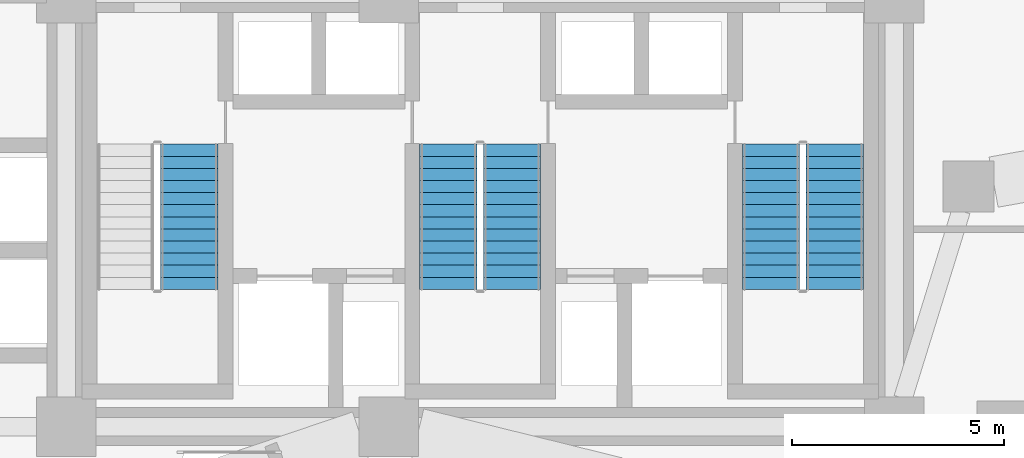
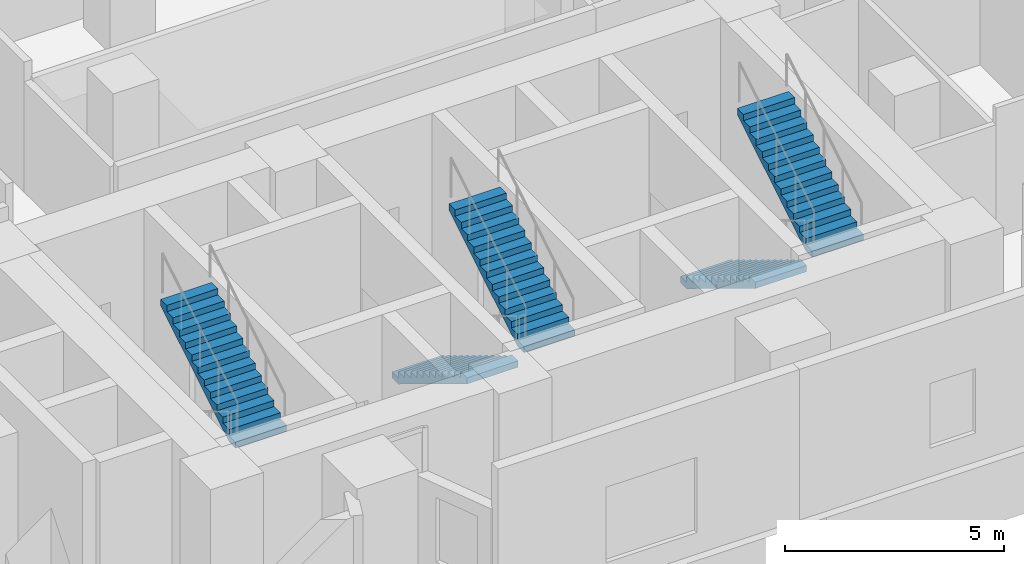
# One storey, part 11 of 15: 5 stair flights, 3 elements without a shape of their own.
"""IFC4 building model written with IfcOpenShell, lengths in metres."""

from ifc_helpers import new_model, si_unit, direction, frame, origin, place, context, subcontext, project, spatial, polyline, outline, extrude, material, type_object, element, aggregate, save


model = new_model("IFC4")

# Units and contexts
model_context = context("Model", 3, precision=1e-05, world=origin(), true_north=direction((0.0, 1.0)))
body_context = subcontext(model_context, "Body", "Model", "MODEL_VIEW")
ifc_project = project(units=[si_unit("LENGTHUNIT", "METRE"), si_unit("AREAUNIT", "SQUARE_METRE"), si_unit("VOLUMEUNIT", "CUBIC_METRE"), si_unit("PLANEANGLEUNIT", "RADIAN"), si_unit("MASSUNIT", "GRAM", prefix="KILO")], contexts=[model_context])

# Site, building, storey
site_placement = place(None, origin())
site = spatial("IfcSite", under=ifc_project, at=site_placement, CompositionType="ELEMENT")
building_placement = place(site_placement, origin())
building = spatial("IfcBuilding", under=site, at=building_placement, Name="Almagre Mirador Tower", CompositionType="ELEMENT")
storey_placement = place(building_placement, frame((0.0, 0.0, 8.39990234375)))
storey = spatial("IfcBuildingStorey", under=building, at=storey_placement, Name="L01", CompositionType="ELEMENT", Elevation=8.39990234375)

# Stair, stair flight
ifc_material_1 = material(Name="Concrete C45/55", Category="concrete")
stair_type = type_object("IfcStairType", Name="STR-DL-4500", PredefinedType="HALF_TURN_STAIR", material=ifc_material_1)
stair_1_placement = place(storey_placement, origin())
stair_1 = element("IfcStair", 1, at=stair_1_placement, inside=storey, type_object=stair_type, Name="L01 Protected exit stair ST-1", PredefinedType="HALF_TURN_STAIR")
ifc_material_2 = material(Name="Concrete C45/55", Category="concrete")
stair_flight_type = type_object("IfcStairFlightType", Name="FLT-DL-4500", PredefinedType="STRAIGHT", material=ifc_material_2)
stair_flight_1_placement = place(storey_placement, frame((30.449951171875, 7.780029296875, 2.25), z_axis=(0.0, 0.0, 1.0), x_axis=(0.0, 1.0, 0.0)))
stair_flight_1 = element("IfcStairFlight", 2, at=stair_flight_1_placement, type_object=stair_flight_type, Name="ST-1 flight 2", NumberOfRisers=13, NumberOfTreads=12, PredefinedType="STRAIGHT", RiserHeight=0.173076923, TreadLength=0.285, context=body_context, shape_type="SweptSolid", body=[
    extrude(outline(polyline([(0.0, 0.0), (0.0, 0.173095703125), (0.284912109375, 0.173095703125), (0.284912109375, 0.34619140625), (0.570068359375, 0.34619140625), (0.570068359375, 0.519287109375), (0.85498046875, 0.519287109375), (0.85498046875, 0.6923828125), (1.139892578125, 0.6923828125), (1.139892578125, 0.865478515625), (1.425048828125, 0.865478515625), (1.425048828125, 1.03857421875), (1.7099609375, 1.03857421875), (1.7099609375, 1.21142578125), (1.9951171875, 1.21142578125), (1.9951171875, 1.384521484375), (2.280029296875, 1.384521484375), (2.280029296875, 1.5576171875), (2.56494140625, 1.5576171875), (2.56494140625, 1.730712890625), (2.85009765625, 1.730712890625), (2.85009765625, 1.90380859375), (3.135009765625, 1.90380859375), (3.135009765625, 2.076904296875), (3.419921875, 2.076904296875), (3.419921875, 2.25), (3.419921875, 1.901611328125), (0.288818359375, 0.0), (0.0, 0.0)])), frame((0.0, 0.675048828125, 0.0), z_axis=(0.0, -1.0, 0.0), x_axis=(1.0, 0.0, 0.0)), (0.0, 0.0, 1.0), 1.35009765625),
])
aggregate(stair_1, [stair_flight_1])

# Stair, stair flights
stair_2_placement = place(storey_placement, origin())
stair_2 = element("IfcStair", 3, at=stair_2_placement, inside=storey, type_object=stair_type, Name="L01 Protected exit stair ST-2", PredefinedType="HALF_TURN_STAIR")
stair_flight_2_placement = place(storey_placement, frame((36.550048828125, 11.199951171875, 0.0), z_axis=(0.0, 0.0, 1.0), x_axis=(0.0, -1.0, 0.0)))
stair_flight_2 = element("IfcStairFlight", 4, at=stair_flight_2_placement, type_object=stair_flight_type, Name="ST-2 flight 1", NumberOfRisers=13, NumberOfTreads=12, PredefinedType="STRAIGHT", RiserHeight=0.173076923, TreadLength=0.285, context=body_context, shape_type="SweptSolid", body=[
    extrude(outline(polyline([(0.0, 0.0), (0.0, 0.173095703125), (0.284912109375, 0.173095703125), (0.284912109375, 0.34619140625), (0.570068359375, 0.34619140625), (0.570068359375, 0.519287109375), (0.85498046875, 0.519287109375), (0.85498046875, 0.6923828125), (1.139892578125, 0.6923828125), (1.139892578125, 0.865478515625), (1.425048828125, 0.865478515625), (1.425048828125, 1.03857421875), (1.7099609375, 1.03857421875), (1.7099609375, 1.21142578125), (1.9951171875, 1.21142578125), (1.9951171875, 1.384521484375), (2.280029296875, 1.384521484375), (2.280029296875, 1.5576171875), (2.56494140625, 1.5576171875), (2.56494140625, 1.730712890625), (2.85009765625, 1.730712890625), (2.85009765625, 1.90380859375), (3.135009765625, 1.90380859375), (3.135009765625, 2.076904296875), (3.419921875, 2.076904296875), (3.419921875, 2.25), (3.419921875, 1.901611328125), (0.288818359375, 0.0), (0.0, 0.0)])), frame((0.0, 0.675048828125, 0.0), z_axis=(0.0, -1.0, 0.0), x_axis=(1.0, 0.0, 0.0)), (0.0, 0.0, 1.0), 1.35009765625),
])
stair_flight_3_placement = place(storey_placement, frame((38.050048828125, 7.780029296875, 2.25), z_axis=(0.0, 0.0, 1.0), x_axis=(0.0, 1.0, 0.0)))
stair_flight_3 = element("IfcStairFlight", 5, at=stair_flight_3_placement, type_object=stair_flight_type, Name="ST-2 flight 2", NumberOfRisers=13, NumberOfTreads=12, PredefinedType="STRAIGHT", RiserHeight=0.173076923, TreadLength=0.285, context=body_context, shape_type="SweptSolid", body=[
    extrude(outline(polyline([(0.0, 0.0), (0.0, 0.173095703125), (0.284912109375, 0.173095703125), (0.284912109375, 0.34619140625), (0.570068359375, 0.34619140625), (0.570068359375, 0.519287109375), (0.85498046875, 0.519287109375), (0.85498046875, 0.6923828125), (1.139892578125, 0.6923828125), (1.139892578125, 0.865478515625), (1.425048828125, 0.865478515625), (1.425048828125, 1.03857421875), (1.7099609375, 1.03857421875), (1.7099609375, 1.21142578125), (1.9951171875, 1.21142578125), (1.9951171875, 1.384521484375), (2.280029296875, 1.384521484375), (2.280029296875, 1.5576171875), (2.56494140625, 1.5576171875), (2.56494140625, 1.730712890625), (2.85009765625, 1.730712890625), (2.85009765625, 1.90380859375), (3.135009765625, 1.90380859375), (3.135009765625, 2.076904296875), (3.419921875, 2.076904296875), (3.419921875, 2.25), (3.419921875, 1.901611328125), (0.288818359375, 0.0), (0.0, 0.0)])), frame((0.0, 0.675048828125, 0.0), z_axis=(0.0, -1.0, 0.0), x_axis=(1.0, 0.0, 0.0)), (0.0, 0.0, 1.0), 1.35009765625),
])
aggregate(stair_2, [stair_flight_2, stair_flight_3])

stair_3_placement = place(storey_placement, origin())
stair_3 = element("IfcStair", 6, at=stair_3_placement, inside=storey, type_object=stair_type, Name="L01 Protected exit stair ST-3", PredefinedType="HALF_TURN_STAIR")
stair_flight_4_placement = place(storey_placement, frame((44.14990234375, 11.199951171875, 0.0), z_axis=(0.0, 0.0, 1.0), x_axis=(0.0, -1.0, 0.0)))
stair_flight_4 = element("IfcStairFlight", 7, at=stair_flight_4_placement, type_object=stair_flight_type, Name="ST-3 flight 1", NumberOfRisers=13, NumberOfTreads=12, PredefinedType="STRAIGHT", RiserHeight=0.173076923, TreadLength=0.285, context=body_context, shape_type="SweptSolid", body=[
    extrude(outline(polyline([(0.0, 0.0), (0.0, 0.173095703125), (0.284912109375, 0.173095703125), (0.284912109375, 0.34619140625), (0.570068359375, 0.34619140625), (0.570068359375, 0.519287109375), (0.85498046875, 0.519287109375), (0.85498046875, 0.6923828125), (1.139892578125, 0.6923828125), (1.139892578125, 0.865478515625), (1.425048828125, 0.865478515625), (1.425048828125, 1.03857421875), (1.7099609375, 1.03857421875), (1.7099609375, 1.21142578125), (1.9951171875, 1.21142578125), (1.9951171875, 1.384521484375), (2.280029296875, 1.384521484375), (2.280029296875, 1.5576171875), (2.56494140625, 1.5576171875), (2.56494140625, 1.730712890625), (2.85009765625, 1.730712890625), (2.85009765625, 1.90380859375), (3.135009765625, 1.90380859375), (3.135009765625, 2.076904296875), (3.419921875, 2.076904296875), (3.419921875, 2.25), (3.419921875, 1.901611328125), (0.288818359375, 0.0), (0.0, 0.0)])), frame((0.0, 0.675048828125, 0.0), z_axis=(0.0, -1.0, 0.0), x_axis=(1.0, 0.0, 0.0)), (0.0, 0.0, 1.0), 1.35009765625),
])
stair_flight_5_placement = place(storey_placement, frame((45.64990234375, 7.780029296875, 2.25), z_axis=(0.0, 0.0, 1.0), x_axis=(0.0, 1.0, 0.0)))
stair_flight_5 = element("IfcStairFlight", 8, at=stair_flight_5_placement, type_object=stair_flight_type, Name="ST-3 flight 2", NumberOfRisers=13, NumberOfTreads=12, PredefinedType="STRAIGHT", RiserHeight=0.173076923, TreadLength=0.285, context=body_context, shape_type="SweptSolid", body=[
    extrude(outline(polyline([(0.0, 0.0), (0.0, 0.173095703125), (0.284912109375, 0.173095703125), (0.284912109375, 0.34619140625), (0.570068359375, 0.34619140625), (0.570068359375, 0.519287109375), (0.85498046875, 0.519287109375), (0.85498046875, 0.6923828125), (1.139892578125, 0.6923828125), (1.139892578125, 0.865478515625), (1.425048828125, 0.865478515625), (1.425048828125, 1.03857421875), (1.7099609375, 1.03857421875), (1.7099609375, 1.21142578125), (1.9951171875, 1.21142578125), (1.9951171875, 1.384521484375), (2.280029296875, 1.384521484375), (2.280029296875, 1.5576171875), (2.56494140625, 1.5576171875), (2.56494140625, 1.730712890625), (2.85009765625, 1.730712890625), (2.85009765625, 1.90380859375), (3.135009765625, 1.90380859375), (3.135009765625, 2.076904296875), (3.419921875, 2.076904296875), (3.419921875, 2.25), (3.419921875, 1.901611328125), (0.288818359375, 0.0), (0.0, 0.0)])), frame((0.0, 0.675048828125, 0.0), z_axis=(0.0, -1.0, 0.0), x_axis=(1.0, 0.0, 0.0)), (0.0, 0.0, 1.0), 1.35009765625),
])
aggregate(stair_3, [stair_flight_4, stair_flight_5])

save(model, "model.ifc")
